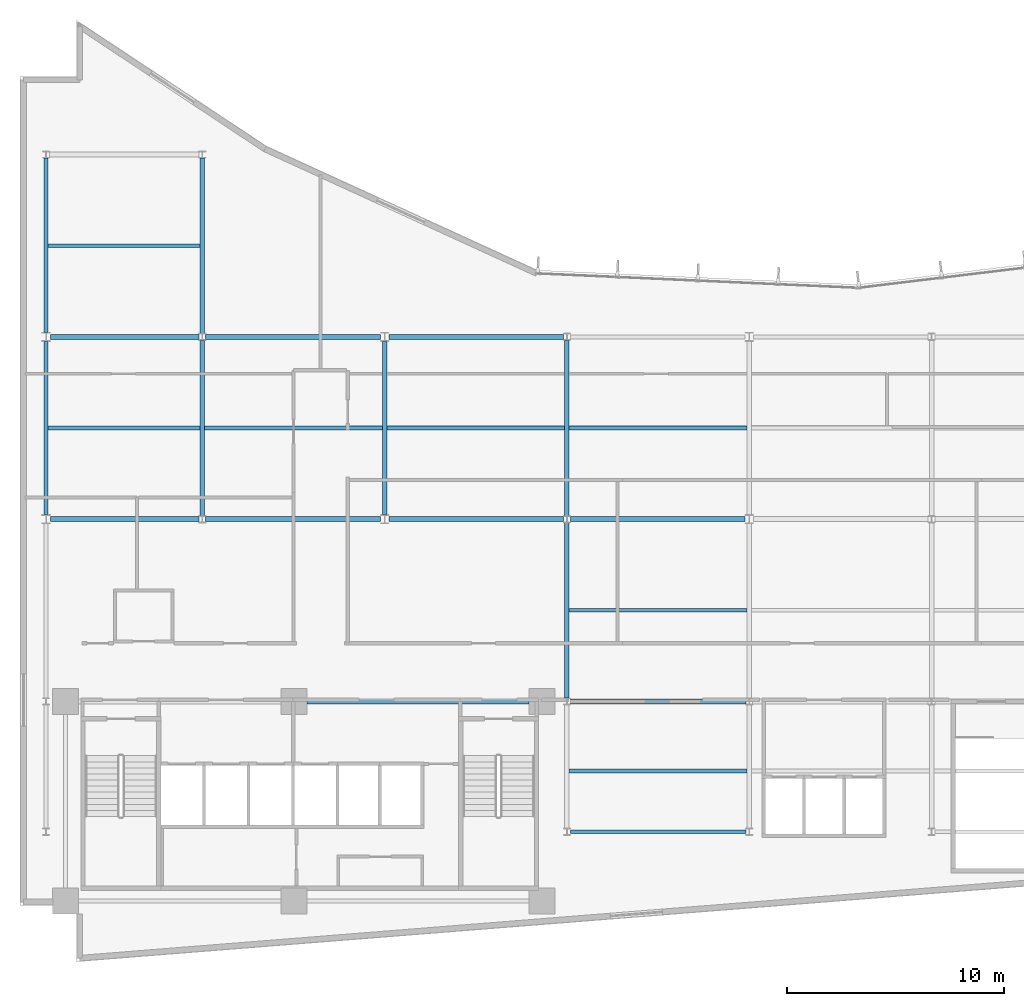
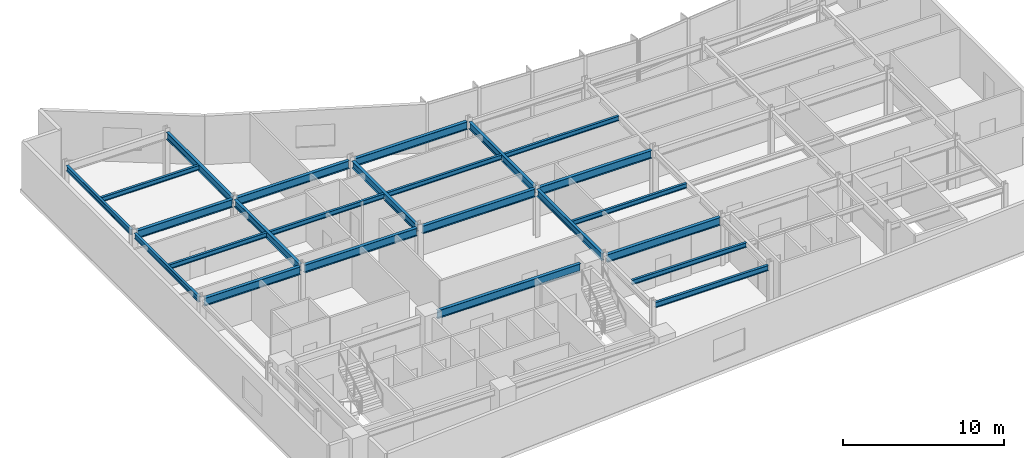
# One storey, part 4 of 16: 24 beams.
"""IFC4 building model written with IfcOpenShell, lengths in metres."""

from ifc_helpers import new_model, si_unit, direction, frame, origin, origin_2d, place, context, subcontext, project, spatial, i_section, extrude, material, material_profile, profile_set, type_object, element, save


model = new_model("IFC4")

# Units and contexts
model_context = context("Model", 3, precision=1e-05, world=origin(), true_north=direction((0.0, 1.0)))
body_context = subcontext(model_context, "Body", "Model", "MODEL_VIEW")
ifc_project = project(units=[si_unit("LENGTHUNIT", "METRE"), si_unit("AREAUNIT", "SQUARE_METRE"), si_unit("VOLUMEUNIT", "CUBIC_METRE"), si_unit("PLANEANGLEUNIT", "RADIAN"), si_unit("MASSUNIT", "GRAM", prefix="KILO")], contexts=[model_context])

# Site, building, storey
site_placement = place(None, origin())
site = spatial("IfcSite", under=ifc_project, at=site_placement, CompositionType="ELEMENT")
building_placement = place(site_placement, origin())
building = spatial("IfcBuilding", under=site, at=building_placement, Name="Varnakote Quay Hospital", CompositionType="ELEMENT")
storey_placement = place(building_placement, frame((0.0, 0.0, 170.5)))
storey = spatial("IfcBuildingStorey", under=building, at=storey_placement, Name="L42", CompositionType="ELEMENT", Elevation=170.5)

# Beams
ifc_material_1 = material(Name="Structural steel AS/NZS 3679.1 Grade 350 L0 (fy 340 MPa)", Category="steel")
ifc_material_profile_1 = material_profile(ifc_material_1, i_section(OverallWidth=0.208984375, OverallDepth=0.532958984375, WebThickness=0.01025390625, FlangeThickness=0.015625, FilletRadius=0.013916015625, at=origin_2d()), Name="530UB92.4")
ifc_profile_set_1 = profile_set([ifc_material_profile_1], Name="Structural steel AS/NZS 3679.1 Grade 350 L0 (fy 340 MPa)")
beam_type_1 = type_object("IfcBeamType", Name="BM-STL-530UB92-4", PredefinedType="BEAM", material=ifc_profile_set_1)
for number, where, z_axis, x_axis, name in (
    (1, (8.39990234375, 20.5576171875, 3.403564453125), (0.0, 1.0, 0.0), (-1.0, 0.0, 0.0), "L42 Primary Tie Beam"),
    (2, (8.39990234375, 28.95751953125, 3.403564453125), (0.0, 1.0, 0.0), (-1.0, 0.0, 0.0), "L42 Primary Tie Beam"),
):
    element("IfcBeam", number, at=place(storey_placement, frame(where, z_axis=z_axis, x_axis=x_axis)), inside=storey, type_object=beam_type_1, Name=name, PredefinedType="BEAM", context=body_context, shape_type="SweptSolid", body=[
        extrude(i_section(OverallWidth=0.208984375, OverallDepth=0.532958984375, WebThickness=0.01025390625, FlangeThickness=0.015625, FilletRadius=0.013916015625, at=origin_2d()), origin(), (0.0, 0.0, 1.0), 8.0849609375),
    ])
beam_1_placement = place(storey_placement, frame((16.800048828125, 20.610107421875, 3.403564453125), z_axis=(0.0, 1.0, 0.0), x_axis=(-1.0, 0.0, 0.0)))
element("IfcBeam", 3, at=beam_1_placement, inside=storey, type_object=beam_type_1, Name="L42 Primary Tie Beam", PredefinedType="BEAM", context=body_context, shape_type="SweptSolid", body=[
    extrude(i_section(OverallWidth=0.208984375, OverallDepth=0.532958984375, WebThickness=0.01025390625, FlangeThickness=0.015625, FilletRadius=0.013916015625, at=origin_2d()), origin(), (0.0, 0.0, 1.0), 7.97998046875),
])
for number, where, z_axis, x_axis, name in (
    (4, (25.199951171875, 12.157470703125, 3.403564453125), (0.0, 1.0, 0.0), (-1.0, 0.0, 0.0), "L42 Primary Tie Beam"),
    (5, (25.199951171875, 20.5576171875, 3.403564453125), (0.0, 1.0, 0.0), (-1.0, 0.0, 0.0), "L42 Primary Tie Beam"),
):
    element("IfcBeam", number, at=place(storey_placement, frame(where, z_axis=z_axis, x_axis=x_axis)), inside=storey, type_object=beam_type_1, Name=name, PredefinedType="BEAM", context=body_context, shape_type="SweptSolid", body=[
        extrude(i_section(OverallWidth=0.208984375, OverallDepth=0.532958984375, WebThickness=0.01025390625, FlangeThickness=0.015625, FilletRadius=0.013916015625, at=origin_2d()), origin(), (0.0, 0.0, 1.0), 8.0849609375),
    ])
ifc_material_2 = material(Name="Structural steel AS/NZS 3679.1 Grade 350 L0 (fy 340 MPa)", Category="steel")
ifc_material_profile_2 = material_profile(ifc_material_2, i_section(OverallWidth=0.22802734375, OverallDepth=0.60205078125, WebThickness=0.010498046875, FlangeThickness=0.014892578125, FilletRadius=0.013916015625, at=origin_2d()), Name="610UB101")
ifc_profile_set_2 = profile_set([ifc_material_profile_2], Name="Structural steel AS/NZS 3679.1 Grade 350 L0 (fy 340 MPa)")
beam_type_2 = type_object("IfcBeamType", Name="BM-STL-610UB101", PredefinedType="BEAM", material=ifc_profile_set_2)
beam_2_placement = place(storey_placement, frame((13.219970703125, 12.0, 3.368896484375), z_axis=(1.0, 0.0, 0.0), x_axis=(0.0, 1.0, 0.0)))
element("IfcBeam", 6, at=beam_2_placement, inside=storey, type_object=beam_type_2, Name="L42 Primary Floor Beam", PredefinedType="BEAM", context=body_context, shape_type="SweptSolid", body=[
    extrude(i_section(OverallWidth=0.22802734375, OverallDepth=0.60205078125, WebThickness=0.010498046875, FlangeThickness=0.014892578125, FilletRadius=0.013916015625, at=origin_2d()), origin(), (0.0, 0.0, 1.0), 10.22998046875),
])
beam_3_placement = place(storey_placement, frame((25.353515625, 12.0, 3.368896484375), z_axis=(1.0, 0.0, 0.0), x_axis=(0.0, 1.0, 0.0)))
element("IfcBeam", 7, at=beam_3_placement, inside=storey, type_object=beam_type_2, Name="L42 Primary Floor Beam", PredefinedType="BEAM", context=body_context, shape_type="SweptSolid", body=[
    extrude(i_section(OverallWidth=0.22802734375, OverallDepth=0.60205078125, WebThickness=0.010498046875, FlangeThickness=0.014892578125, FilletRadius=0.013916015625, at=origin_2d()), origin(), (0.0, 0.0, 1.0), 8.093017578125),
])
beam_4_placement = place(storey_placement, frame((1.39990234375, 20.39990234375, 3.368896484375), z_axis=(1.0, 0.0, 0.0), x_axis=(0.0, 1.0, 0.0)))
element("IfcBeam", 8, at=beam_4_placement, inside=storey, type_object=beam_type_2, Name="L42 Primary Floor Beam", PredefinedType="BEAM", context=body_context, shape_type="SweptSolid", body=[
    extrude(i_section(OverallWidth=0.22802734375, OverallDepth=0.60205078125, WebThickness=0.010498046875, FlangeThickness=0.014892578125, FilletRadius=0.013916015625, at=origin_2d()), origin(), (0.0, 0.0, 1.0), 6.8466796875),
])
beam_5_placement = place(storey_placement, frame((8.553466796875, 20.39990234375, 3.368896484375), z_axis=(1.0, 0.0, 0.0), x_axis=(0.0, 1.0, 0.0)))
element("IfcBeam", 9, at=beam_5_placement, inside=storey, type_object=beam_type_2, Name="L42 Primary Floor Beam", PredefinedType="BEAM", context=body_context, shape_type="SweptSolid", body=[
    extrude(i_section(OverallWidth=0.22802734375, OverallDepth=0.60205078125, WebThickness=0.010498046875, FlangeThickness=0.014892578125, FilletRadius=0.013916015625, at=origin_2d()), origin(), (0.0, 0.0, 1.0), 8.046630859375),
])
for number, where, z_axis, x_axis, name in (
    (10, (17.0, 20.39990234375, 3.368896484375), (1.0, 0.0, 0.0), (0.0, 1.0, 0.0), "L42 Primary Floor Beam"),
    (11, (25.353515625, 20.39990234375, 3.368896484375), (1.0, 0.0, 0.0), (0.0, 1.0, 0.0), "L42 Primary Floor Beam"),
):
    element("IfcBeam", number, at=place(storey_placement, frame(where, z_axis=z_axis, x_axis=x_axis)), inside=storey, type_object=beam_type_2, Name=name, PredefinedType="BEAM", context=body_context, shape_type="SweptSolid", body=[
        extrude(i_section(OverallWidth=0.22802734375, OverallDepth=0.60205078125, WebThickness=0.010498046875, FlangeThickness=0.014892578125, FilletRadius=0.013916015625, at=origin_2d()), origin(), (0.0, 0.0, 1.0), 8.04638671875),
    ])
beam_6_placement = place(storey_placement, frame((1.39990234375, 28.800048828125, 3.368896484375), z_axis=(1.0, 0.0, 0.0), x_axis=(0.0, 1.0, 0.0)))
element("IfcBeam", 12, at=beam_6_placement, inside=storey, type_object=beam_type_2, Name="L42 Primary Floor Beam", PredefinedType="BEAM", context=body_context, shape_type="SweptSolid", body=[
    extrude(i_section(OverallWidth=0.22802734375, OverallDepth=0.60205078125, WebThickness=0.010498046875, FlangeThickness=0.014892578125, FilletRadius=0.013916015625, at=origin_2d()), origin(), (0.0, 0.0, 1.0), 6.8466796875),
])
beam_7_placement = place(storey_placement, frame((8.553466796875, 28.800048828125, 3.368896484375), z_axis=(1.0, 0.0, 0.0), x_axis=(0.0, 1.0, 0.0)))
element("IfcBeam", 13, at=beam_7_placement, inside=storey, type_object=beam_type_2, Name="L42 Primary Floor Beam", PredefinedType="BEAM", context=body_context, shape_type="SweptSolid", body=[
    extrude(i_section(OverallWidth=0.22802734375, OverallDepth=0.60205078125, WebThickness=0.010498046875, FlangeThickness=0.014892578125, FilletRadius=0.013916015625, at=origin_2d()), origin(), (0.0, 0.0, 1.0), 8.046630859375),
])
beam_8_placement = place(storey_placement, frame((17.0, 28.800048828125, 3.368896484375), z_axis=(1.0, 0.0, 0.0), x_axis=(0.0, 1.0, 0.0)))
element("IfcBeam", 14, at=beam_8_placement, inside=storey, type_object=beam_type_2, Name="L42 Primary Floor Beam", PredefinedType="BEAM", context=body_context, shape_type="SweptSolid", body=[
    extrude(i_section(OverallWidth=0.22802734375, OverallDepth=0.60205078125, WebThickness=0.010498046875, FlangeThickness=0.014892578125, FilletRadius=0.013916015625, at=origin_2d()), origin(), (0.0, 0.0, 1.0), 8.04638671875),
])
ifc_material_3 = material(Name="Structural steel AS/NZS 3679.1 Grade 350 L0 (fy 340 MPa)", Category="steel")
ifc_material_profile_3 = material_profile(ifc_material_3, i_section(OverallWidth=0.1708984375, OverallDepth=0.35595703125, WebThickness=0.00732421875, FlangeThickness=0.011474609375, FilletRadius=0.011474609375, at=origin_2d()), Name="360UB50.7")
ifc_profile_set_3 = profile_set([ifc_material_profile_3], Name="Structural steel AS/NZS 3679.1 Grade 350 L0 (fy 340 MPa)")
beam_type_3 = type_object("IfcBeamType", Name="JST-STL-360UB50-7", PredefinedType="JOIST", material=ifc_profile_set_3)
for number, where, z_axis, x_axis, name in (
    (15, (25.304443359375, 8.800048828125, 3.491943359375), (1.0, 0.0, 0.0), (0.0, 1.0, 0.0), "L42 Composite Floor Joist"),
    (16, (25.304443359375, 16.199951171875, 3.491943359375), (1.0, 0.0, 0.0), (0.0, 1.0, 0.0), "L42 Composite Floor Joist"),
):
    element("IfcBeam", number, at=place(storey_placement, frame(where, z_axis=z_axis, x_axis=x_axis)), inside=storey, type_object=beam_type_3, Name=name, PredefinedType="JOIST", context=body_context, shape_type="SweptSolid", body=[
        extrude(i_section(OverallWidth=0.1708984375, OverallDepth=0.35595703125, WebThickness=0.00732421875, FlangeThickness=0.011474609375, FilletRadius=0.011474609375, at=origin_2d()), origin(), (0.0, 0.0, 1.0), 8.191162109375),
    ])
beam_9_placement = place(storey_placement, frame((1.2890625, 24.60009765625, 3.491943359375), z_axis=(1.0, 0.0, 0.0), x_axis=(0.0, 1.0, 0.0)))
element("IfcBeam", 17, at=beam_9_placement, inside=storey, type_object=beam_type_3, Name="L42 Composite Floor Joist", PredefinedType="JOIST", context=body_context, shape_type="SweptSolid", body=[
    extrude(i_section(OverallWidth=0.1708984375, OverallDepth=0.35595703125, WebThickness=0.00732421875, FlangeThickness=0.011474609375, FilletRadius=0.011474609375, at=origin_2d()), origin(), (0.0, 0.0, 1.0), 7.00634765625),
])
beam_10_placement = place(storey_placement, frame((8.50439453125, 24.60009765625, 3.491943359375), z_axis=(1.0, 0.0, 0.0), x_axis=(0.0, 1.0, 0.0)))
element("IfcBeam", 18, at=beam_10_placement, inside=storey, type_object=beam_type_3, Name="L42 Composite Floor Joist", PredefinedType="JOIST", context=body_context, shape_type="SweptSolid", body=[
    extrude(i_section(OverallWidth=0.1708984375, OverallDepth=0.35595703125, WebThickness=0.00732421875, FlangeThickness=0.011474609375, FilletRadius=0.011474609375, at=origin_2d()), origin(), (0.0, 0.0, 1.0), 8.191162109375),
])
beam_11_placement = place(storey_placement, frame((16.904541015625, 24.60009765625, 3.491943359375), z_axis=(1.0, 0.0, 0.0), x_axis=(0.0, 1.0, 0.0)))
element("IfcBeam", 19, at=beam_11_placement, inside=storey, type_object=beam_type_3, Name="L42 Composite Floor Joist", PredefinedType="JOIST", context=body_context, shape_type="SweptSolid", body=[
    extrude(i_section(OverallWidth=0.1708984375, OverallDepth=0.35595703125, WebThickness=0.00732421875, FlangeThickness=0.011474609375, FilletRadius=0.011474609375, at=origin_2d()), origin(), (0.0, 0.0, 1.0), 8.19091796875),
])
beam_12_placement = place(storey_placement, frame((25.304443359375, 24.60009765625, 3.491943359375), z_axis=(1.0, 0.0, 0.0), x_axis=(0.0, 1.0, 0.0)))
element("IfcBeam", 20, at=beam_12_placement, inside=storey, type_object=beam_type_3, Name="L42 Composite Floor Joist", PredefinedType="JOIST", context=body_context, shape_type="SweptSolid", body=[
    extrude(i_section(OverallWidth=0.1708984375, OverallDepth=0.35595703125, WebThickness=0.00732421875, FlangeThickness=0.011474609375, FilletRadius=0.011474609375, at=origin_2d()), origin(), (0.0, 0.0, 1.0), 8.191162109375),
])
beam_13_placement = place(storey_placement, frame((1.2890625, 33.0, 3.491943359375), z_axis=(1.0, 0.0, 0.0), x_axis=(0.0, 1.0, 0.0)))
element("IfcBeam", 21, at=beam_13_placement, inside=storey, type_object=beam_type_3, Name="L42 Composite Floor Joist", PredefinedType="JOIST", context=body_context, shape_type="SweptSolid", body=[
    extrude(i_section(OverallWidth=0.1708984375, OverallDepth=0.35595703125, WebThickness=0.00732421875, FlangeThickness=0.011474609375, FilletRadius=0.011474609375, at=origin_2d()), origin(), (0.0, 0.0, 1.0), 7.00634765625),
])
ifc_material_4 = material(Name="Structural steel AS/NZS 3679.1 Grade 350 L0 (fy 340 MPa)", Category="steel")
ifc_material_profile_4 = material_profile(ifc_material_4, i_section(OverallWidth=0.177978515625, OverallDepth=0.403076171875, WebThickness=0.007568359375, FlangeThickness=0.010986328125, FilletRadius=0.011474609375, at=origin_2d()), Name="410UB53.7")
ifc_profile_set_4 = profile_set([ifc_material_profile_4], Name="Structural steel AS/NZS 3679.1 Grade 350 L0 (fy 340 MPa)")
beam_type_4 = type_object("IfcBeamType", Name="SPN-STL-410UB53-7", PredefinedType="SPANDREL", material=ifc_profile_set_4)
beam_14_placement = place(storey_placement, frame((1.199951171875, 20.610107421875, 3.468505859375), z_axis=(0.0, 1.0, 0.0), x_axis=(-1.0, 0.0, 0.0)))
element("IfcBeam", 22, at=beam_14_placement, inside=storey, type_object=beam_type_4, Name="L42 Perimeter Spandrel Beam", PredefinedType="SPANDREL", context=body_context, shape_type="SweptSolid", body=[
    extrude(i_section(OverallWidth=0.177978515625, OverallDepth=0.403076171875, WebThickness=0.007568359375, FlangeThickness=0.010986328125, FilletRadius=0.011474609375, at=origin_2d()), origin(), (0.0, 0.0, 1.0), 7.97998046875),
])
beam_15_placement = place(storey_placement, frame((1.199951171875, 29.010009765625, 3.468505859375), z_axis=(0.0, 1.0, 0.0), x_axis=(-1.0, 0.0, 0.0)))
element("IfcBeam", 23, at=beam_15_placement, inside=storey, type_object=beam_type_4, Name="L42 Perimeter Spandrel Beam", PredefinedType="SPANDREL", context=body_context, shape_type="SweptSolid", body=[
    extrude(i_section(OverallWidth=0.177978515625, OverallDepth=0.403076171875, WebThickness=0.007568359375, FlangeThickness=0.010986328125, FilletRadius=0.011474609375, at=origin_2d()), origin(), (0.0, 0.0, 1.0), 8.032470703125),
])
ifc_material_5 = material(Name="Structural steel AS/NZS 3679.1 Grade 350 L0 (fy 340 MPa)", Category="steel")
ifc_material_profile_5 = material_profile(ifc_material_5, i_section(OverallWidth=0.177978515625, OverallDepth=0.406005859375, WebThickness=0.0078125, FlangeThickness=0.0126953125, FilletRadius=0.011474609375, at=origin_2d()), Name="410UB59.7")
ifc_profile_set_5 = profile_set([ifc_material_profile_5], Name="Structural steel AS/NZS 3679.1 Grade 350 L0 (fy 340 MPa)")
beam_type_5 = type_object("IfcBeamType", Name="SPN-STL-410UB59-7", PredefinedType="SPANDREL", material=ifc_profile_set_5)
beam_16_placement = place(storey_placement, frame((25.353515625, 6.0, 3.467041015625), z_axis=(1.0, 0.0, 0.0), x_axis=(0.0, 1.0, 0.0)))
element("IfcBeam", 24, at=beam_16_placement, inside=storey, type_object=beam_type_5, Name="L42 Perimeter Spandrel Beam", PredefinedType="SPANDREL", context=body_context, shape_type="SweptSolid", body=[
    extrude(i_section(OverallWidth=0.177978515625, OverallDepth=0.406005859375, WebThickness=0.0078125, FlangeThickness=0.0126953125, FilletRadius=0.011474609375, at=origin_2d()), origin(), (0.0, 0.0, 1.0), 8.093017578125),
])

save(model, "model.ifc")
